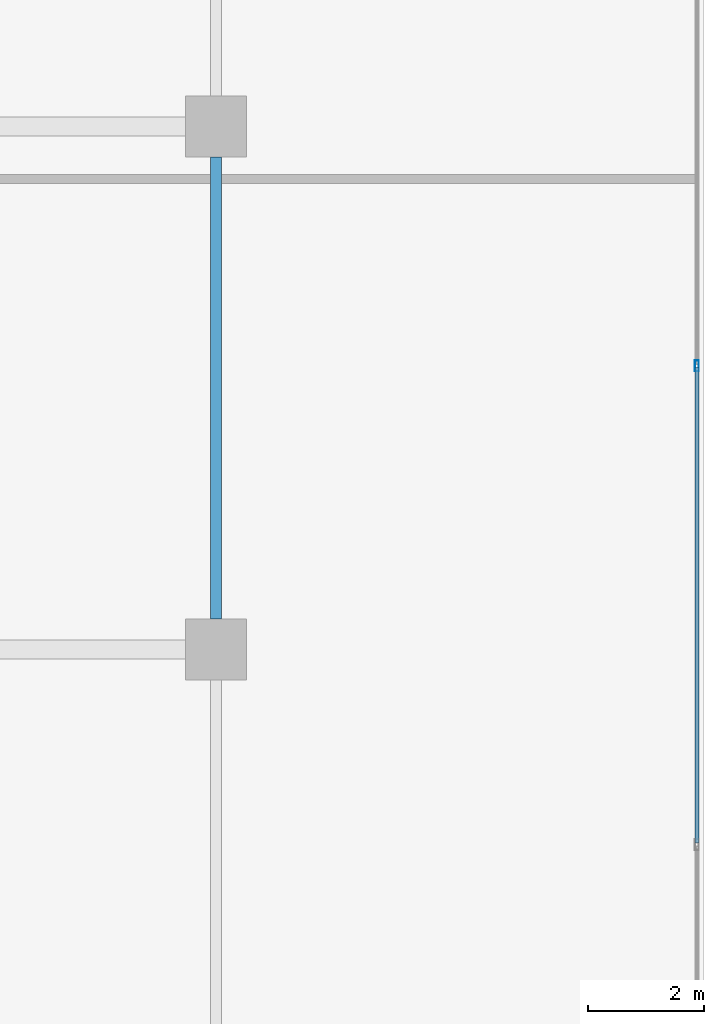
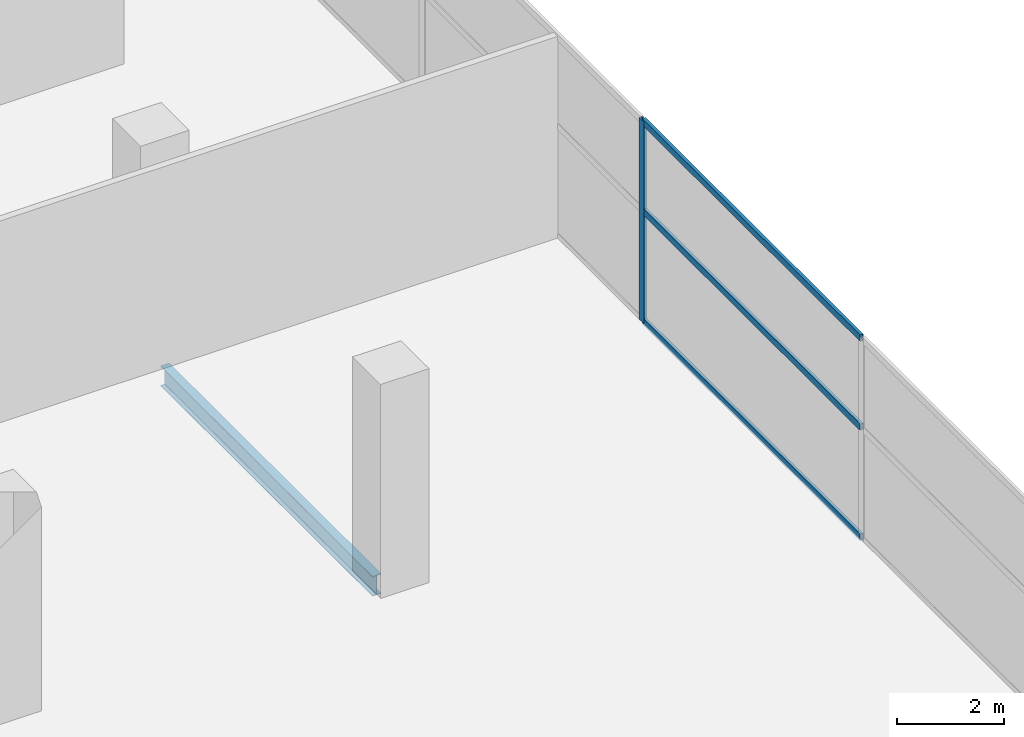
# One storey, part 26 of 39: 4 members, 1 beam, 1 element without a shape of its own.
"""IFC4 building model written with IfcOpenShell, lengths in metres."""

from ifc_helpers import new_model, si_unit, direction, frame, origin, origin_2d, place, context, subcontext, project, spatial, hollow_rectangle, i_section, extrude, material, layer, layer_set, material_profile, profile_set, type_object, element, aggregate, save


model = new_model("IFC4")

# Units and contexts
model_context = context("Model", 3, precision=1e-05, world=origin(), true_north=direction((0.0, 1.0)))
body_context = subcontext(model_context, "Body", "Model", "MODEL_VIEW")
ifc_project = project(units=[si_unit("LENGTHUNIT", "METRE"), si_unit("AREAUNIT", "SQUARE_METRE"), si_unit("VOLUMEUNIT", "CUBIC_METRE"), si_unit("PLANEANGLEUNIT", "RADIAN"), si_unit("MASSUNIT", "GRAM", prefix="KILO")], contexts=[model_context])

# Site, building, storey
site_placement = place(None, origin())
site = spatial("IfcSite", under=ifc_project, at=site_placement, CompositionType="ELEMENT")
building_placement = place(site_placement, origin())
building = spatial("IfcBuilding", under=site, at=building_placement, Name="Maruvema Waterfront Hotel and Observation Tower", CompositionType="ELEMENT")
storey_placement = place(building_placement, frame((0.0, 0.0, 16.449951171875)))
storey = spatial("IfcBuildingStorey", under=building, at=storey_placement, Name="L03", CompositionType="ELEMENT", Elevation=16.449951171875)

# Curtain wall, members
ifc_material_1 = material(Name="Anodised bronze aluminium and solar-control low-E IGU", Category="aluminium")
ifc_layer = layer(ifc_material_1, 0.159912109375, Name="Podium Waterfront Storefront Curtain Wall System CW-01")
ifc_layer_set = layer_set([ifc_layer], Name="Anodised bronze aluminium and solar-control low-E IGU")
curtain_wall_type = type_object("IfcCurtainWallType", Name="Podium Waterfront Storefront Curtain Wall System CW-01", PredefinedType="USERDEFINED", material=ifc_layer_set)
curtain_wall_placement = place(storey_placement, origin())
curtain_wall = element("IfcCurtainWall", 1, at=curtain_wall_placement, inside=storey, type_object=curtain_wall_type, Name="L03 Curtain Wall CW-L03-E", ObjectType="UNITISED CURTAIN WALL", PredefinedType="USERDEFINED")
ifc_material_2 = material(Name="Anodised architectural bronze aluminium", Category="aluminium")
ifc_material_profile_1 = material_profile(ifc_material_2, hollow_rectangle(XDim=0.070068359375, YDim=0.14990234375, WallThickness=0.00390625, at=origin_2d()), Name="ALU-T70x150")
ifc_profile_set_1 = profile_set([ifc_material_profile_1], Name="Anodised architectural bronze aluminium")
member_type_1 = type_object("IfcMemberType", Name="Curtain Wall Horizontal Transom ALU-T70x150", PredefinedType="USERDEFINED", material=ifc_profile_set_1)
member_1_placement = place(storey_placement, frame((75.47998046875, 14.669921875, 0.030029296875), z_axis=(0.0, 1.0, 0.0), x_axis=(-1.0, 0.0, 0.0)))
member_1 = element("IfcMember", 2, at=member_1_placement, type_object=member_type_1, Name="CW-01 transom 2.1", ObjectType="TRANSOM", PredefinedType="USERDEFINED", context=body_context, shape_type="SweptSolid", body=[
    extrude(hollow_rectangle(XDim=0.070068359375, YDim=0.14990234375, WallThickness=0.00390625, at=origin_2d()), origin(), (0.0, 0.0, 1.0), 8.18017578125),
])
member_2_placement = place(storey_placement, frame((75.47998046875, 14.669921875, 2.550048828125), z_axis=(0.0, 1.0, 0.0), x_axis=(-1.0, 0.0, 0.0)))
member_2 = element("IfcMember", 3, at=member_2_placement, type_object=member_type_1, Name="CW-01 transom 2.2", ObjectType="TRANSOM", PredefinedType="USERDEFINED", context=body_context, shape_type="SweptSolid", body=[
    extrude(hollow_rectangle(XDim=0.070068359375, YDim=0.14990234375, WallThickness=0.00390625, at=origin_2d()), origin(), (0.0, 0.0, 1.0), 8.18017578125),
])
member_3_placement = place(storey_placement, frame((75.47998046875, 14.669921875, 4.590087890625), z_axis=(0.0, 1.0, 0.0), x_axis=(-1.0, 0.0, 0.0)))
member_3 = element("IfcMember", 4, at=member_3_placement, type_object=member_type_1, Name="CW-01 transom 2.3", ObjectType="TRANSOM", PredefinedType="USERDEFINED", context=body_context, shape_type="SweptSolid", body=[
    extrude(hollow_rectangle(XDim=0.070068359375, YDim=0.14990234375, WallThickness=0.00390625, at=origin_2d()), origin(), (0.0, 0.0, 1.0), 8.18017578125),
])

# Beam
ifc_material_3 = material(Name="Steel ASTM A572 Grade 50", Category="steel")
ifc_material_profile_2 = material_profile(ifc_material_3, i_section(OverallWidth=0.18994140625, OverallDepth=0.45703125, WebThickness=0.009033203125, FlangeThickness=0.014404296875, FilletRadius=0.014892578125, at=origin_2d()), Name="W460x74.0")
ifc_profile_set_2 = profile_set([ifc_material_profile_2], Name="Steel ASTM A572 Grade 50")
beam_type = type_object("IfcBeamType", Name="Perimeter Spandrel Beam W460x74.0", PredefinedType="SPANDREL", material=ifc_profile_set_2)
beam_placement = place(storey_placement, frame((67.199951171875, 18.52490234375, -0.508544921875), z_axis=(0.0, 1.0, 0.0), x_axis=(-1.0, 0.0, 0.0)))
element("IfcBeam", 5, at=beam_placement, inside=storey, type_object=beam_type, Name="L03 Floor Girder NS-31", PredefinedType="SPANDREL", context=body_context, shape_type="SweptSolid", body=[
    extrude(i_section(OverallWidth=0.18994140625, OverallDepth=0.45703125, WebThickness=0.009033203125, FlangeThickness=0.014404296875, FilletRadius=0.014892578125, at=origin_2d()), origin(), (0.0, 0.0, 1.0), 7.9501953125),
])

# Member
ifc_material_4 = material(Name="Anodised architectural bronze aluminium", Category="aluminium")
ifc_material_profile_3 = material_profile(ifc_material_4, hollow_rectangle(XDim=0.070068359375, YDim=0.18994140625, WallThickness=0.00390625, at=origin_2d()), Name="ALU-M70x190")
ifc_profile_set_3 = profile_set([ifc_material_profile_3], Name="Anodised architectural bronze aluminium")
member_type_2 = type_object("IfcMemberType", Name="Podium Storefront Heavy Mullion ALU-M70x190", PredefinedType="MULLION", material=ifc_profile_set_3)
member_4_placement = place(storey_placement, frame((75.47998046875, 22.8798828125, 0.0), z_axis=(0.0, 0.0, 1.0), x_axis=(-1.0, 0.0, 0.0)))
member_4 = element("IfcMember", 6, at=member_4_placement, type_object=member_type_2, Name="CW-01 mullion 3", PredefinedType="MULLION", context=body_context, shape_type="SweptSolid", body=[
    extrude(hollow_rectangle(XDim=0.070068359375, YDim=0.18994140625, WallThickness=0.00390625, at=origin_2d()), origin(), (0.0, 0.0, 1.0), 4.6201171875),
])

aggregate(curtain_wall, [member_4, member_1, member_2, member_3])

save(model, "model.ifc")
